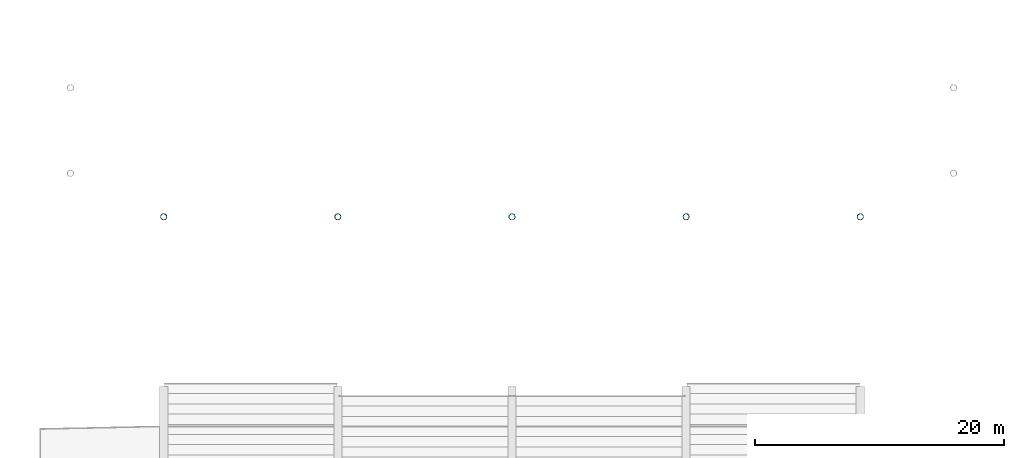
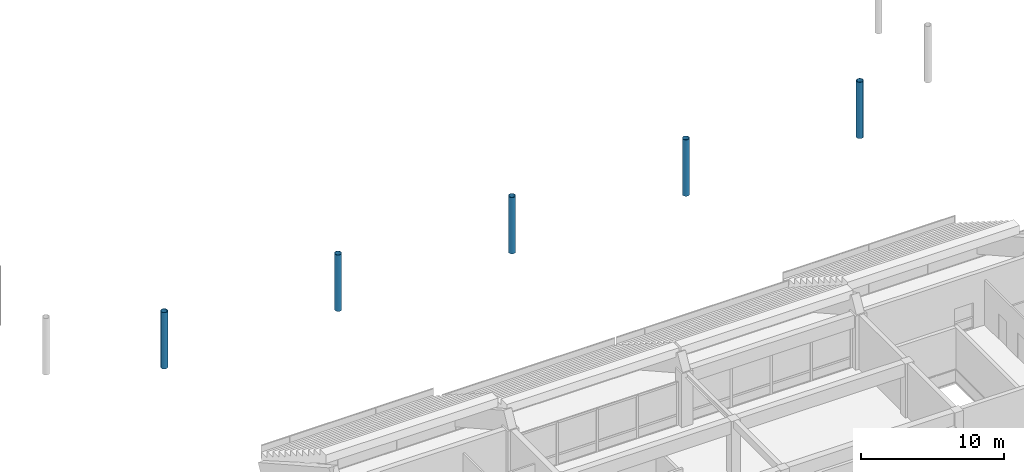
# One storey, part 3 of 94: 5 columns.
"""IFC4 building model written with IfcOpenShell, lengths in metres."""

from ifc_helpers import new_model, si_unit, direction, frame, origin, origin_2d, place, context, subcontext, project, spatial, hollow_circle, extrude, material, material_profile, profile_set, type_object, element, save


model = new_model("IFC4")

# Units and contexts
model_context = context("Model", 3, precision=1e-05, world=origin(), true_north=direction((0.0, 1.0)))
body_context = subcontext(model_context, "Body", "Model", "MODEL_VIEW")
ifc_project = project(units=[si_unit("LENGTHUNIT", "METRE"), si_unit("AREAUNIT", "SQUARE_METRE"), si_unit("VOLUMEUNIT", "CUBIC_METRE"), si_unit("PLANEANGLEUNIT", "RADIAN"), si_unit("MASSUNIT", "GRAM", prefix="KILO")], contexts=[model_context])

# Site, building, storey
site_placement = place(None, origin())
site = spatial("IfcSite", under=ifc_project, at=site_placement, CompositionType="ELEMENT")
building_placement = place(site_placement, origin())
building = spatial("IfcBuilding", under=site, at=building_placement, Name="Linyun Crest Stadium", CompositionType="ELEMENT")
storey_placement = place(building_placement, frame((0.0, 0.0, 16.199951171875)))
storey = spatial("IfcBuildingStorey", under=building, at=storey_placement, Name="L04", CompositionType="ELEMENT", Elevation=16.199951171875)

# Columns
ifc_material = material(Name="Steel Q355C", Category="steel")
ifc_material_profile = material_profile(ifc_material, hollow_circle(Radius=0.25390625, WallThickness=0.02490234375, at=origin_2d()), Name="CHS 508x25")
ifc_profile_set = profile_set([ifc_material_profile], Name="Steel Q355C")
column_type = type_object("IfcColumnType", Name="SC05", PredefinedType="COLUMN", material=ifc_profile_set)
for number, where, z_axis, x_axis, name in (
    (1, (-28.0, -49.5, 0.0), (0.0, 0.0, 1.0), (1.0, 0.0, 0.0), "Arch colonnade column SC05 L04 44"),
    (2, (-14.0, -49.5, 0.0), (0.0, 0.0, 1.0), (1.0, 0.0, 0.0), "Arch colonnade column SC05 L04 46"),
    (3, (0.0, -49.5, 0.0), (0.0, 0.0, 1.0), (1.0, 0.0, 0.0), "Arch colonnade column SC05 L04 48"),
    (4, (14.0, -49.5, 0.0), (0.0, 0.0, 1.0), (1.0, 0.0, 0.0), "Arch colonnade column SC05 L04 50"),
    (5, (28.0, -49.5, 0.0), (0.0, 0.0, 1.0), (1.0, 0.0, 0.0), "Arch colonnade column SC05 L04 52"),
):
    element("IfcColumn", number, at=place(storey_placement, frame(where, z_axis=z_axis, x_axis=x_axis)), inside=storey, type_object=column_type, Name=name, PredefinedType="COLUMN", context=body_context, shape_type="SweptSolid", body=[
        extrude(hollow_circle(Radius=0.25390625, WallThickness=0.02490234375, at=origin_2d()), origin(), (0.0, 0.0, 1.0), 4.800048828125),
    ])

save(model, "model.ifc")
